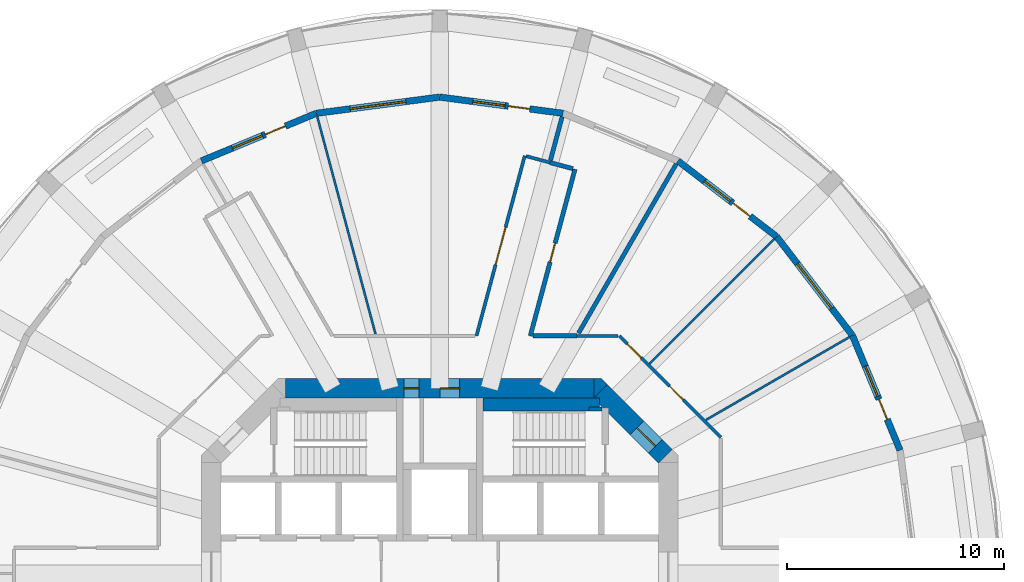
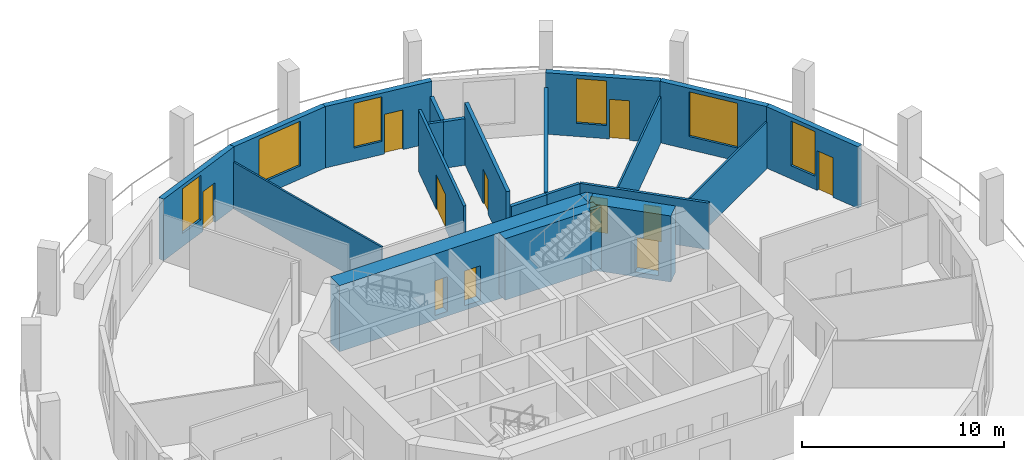
# One storey, part 6 of 9: 23 walls, 11 doors, 6 windows, 17 openings.
"""IFC4 building model written with IfcOpenShell, lengths in metres."""

from ifc_helpers import new_model, si_unit, direction, frame, frame_2d, origin, place, context, subcontext, project, spatial, polyline, rectangle, outline, extrude, material, layer, layer_set, type_object, element, fill, save


model = new_model("IFC4")

# Units and contexts
model_context = context("Model", 3, precision=1e-05, world=origin(), true_north=direction((0.0, 1.0)))
body_context = subcontext(model_context, "Body", "Model", "MODEL_VIEW")
ifc_project = project(units=[si_unit("LENGTHUNIT", "METRE"), si_unit("AREAUNIT", "SQUARE_METRE"), si_unit("VOLUMEUNIT", "CUBIC_METRE"), si_unit("PLANEANGLEUNIT", "RADIAN"), si_unit("MASSUNIT", "GRAM", prefix="KILO")], contexts=[model_context])

# Site, building, storey
site_placement = place(None, origin())
site = spatial("IfcSite", under=ifc_project, at=site_placement, CompositionType="ELEMENT")
building_placement = place(site_placement, origin())
building = spatial("IfcBuilding", under=site, at=building_placement, Name="Torre Triforio", CompositionType="ELEMENT")
storey_placement = place(building_placement, frame((0.0, 0.0, 102.60009765625)))
storey = spatial("IfcBuildingStorey", under=building, at=storey_placement, Name="L22", CompositionType="ELEMENT", Elevation=102.60009765625)

# Wall, openings, doors
ifc_material_1 = material(Name="Concrete C60", Category="concrete")
ifc_layer_1 = layer(ifc_material_1, 0.89990234375)
ifc_layer_set_1 = layer_set([ifc_layer_1], Name="Concrete C60")
wall_type_1 = type_object("IfcWallType", Name="Core wall 900 mm C60 EI 120", PredefinedType="SHEAR", material=ifc_layer_set_1)
wall_1_placement = place(storey_placement, frame((-7.1298828125, 8.550048828125, -0.280029296875), z_axis=(0.0, 0.0, 1.0), x_axis=(1.0, 0.0, 0.0)))
wall_1 = element("IfcWall", 1, at=wall_1_placement, inside=storey, type_object=wall_type_1, Name="Core wall", PredefinedType="SHEAR", context=body_context, shape_type="SweptSolid", body=[
    extrude(rectangle(XDim=14.259765625, YDim=0.89990234375, at=frame_2d((7.1298828125, 0.0))), origin(), (0.0, 0.0, 1.0), 4.0),
])
opening_1_placement = place(wall_1_placement, frame((5.47998046875, 0.0, 0.280029296875)))
opening_1 = element("IfcOpeningElement", 2, at=opening_1_placement, cuts=wall_1, Name="Opening RISER-N", PredefinedType="OPENING", context=body_context, shape_type="SweptSolid", body=[
    extrude(rectangle(XDim=0.699951171875, YDim=2.10009765625, at=frame_2d((0.35009765625, 1.050048828125))), frame((0.0, 0.4599609375, 0.0), z_axis=(0.0, -1.0, 0.0), x_axis=(1.0, 0.0, 0.0)), (0.0, 0.0, 1.0), 0.919921875),
])
opening_2_placement = place(wall_1_placement, frame((7.155029296875, 0.0, 0.280029296875)))
opening_2 = element("IfcOpeningElement", 3, at=opening_2_placement, cuts=wall_1, Name="Opening NE-01", PredefinedType="OPENING", context=body_context, shape_type="SweptSolid", body=[
    extrude(rectangle(XDim=0.89990234375, YDim=2.10009765625, at=frame_2d((0.449951171875, 1.050048828125))), frame((0.0, 0.4599609375, 0.0), z_axis=(0.0, -1.0, 0.0), x_axis=(1.0, 0.0, 0.0)), (0.0, 0.0, 1.0), 0.919921875),
])
ifc_material_2 = material(Name="Hollow metal fire door leaf")
door_type_1 = type_object("IfcDoorType", Name="Riser door 700 x 2100 EI 60", OperationType="NOTDEFINED", PredefinedType="DOOR", material=ifc_material_2)
door_1_placement = place(opening_1_placement, origin())
door_1 = element("IfcDoor", 4, at=door_1_placement, inside=storey, type_object=door_type_1, Name="Core door RISER-N", OperationType="SINGLE_SWING_LEFT", OverallHeight=2.10009765625, OverallWidth=0.699951171875, PredefinedType="DOOR", context=body_context, shape_type="SweptSolid", body=[
    extrude(rectangle(XDim=0.699951171875, YDim=2.10009765625, at=frame_2d((0.35009765625, 1.050048828125))), frame((0.0, 0.02490234375, 0.0), z_axis=(0.0, -1.0, 0.0), x_axis=(1.0, 0.0, 0.0)), (0.0, 0.0, 1.0), 0.050048828125),
])
fill(opening_1, door_1)
door_type_2 = type_object("IfcDoorType", Name="Room door 900 x 2100 EI 60", OperationType="NOTDEFINED", PredefinedType="DOOR", material=ifc_material_2)
door_2_placement = place(opening_2_placement, origin())
door_2 = element("IfcDoor", 5, at=door_2_placement, inside=storey, type_object=door_type_2, Name="Core door NE-01", OperationType="SINGLE_SWING_RIGHT", OverallHeight=2.10009765625, OverallWidth=0.89990234375, PredefinedType="DOOR", context=body_context, shape_type="SweptSolid", body=[
    extrude(rectangle(XDim=0.89990234375, YDim=2.10009765625, at=frame_2d((0.449951171875, 1.050048828125))), frame((0.0, 0.02490234375, 0.0), z_axis=(0.0, -1.0, 0.0), x_axis=(1.0, 0.0, 0.0)), (0.0, 0.0, 1.0), 0.050048828125),
])
fill(opening_2, door_2)

# Wall, opening, door
wall_2_placement = place(storey_placement, frame((7.418212890625, 8.418212890625, -0.280029296875), z_axis=(0.0, 0.0, 1.0), x_axis=(0.707106781187, -0.707106781187, 0.0)))
wall_2 = element("IfcWall", 6, at=wall_2_placement, inside=storey, type_object=wall_type_1, Name="Core wall", PredefinedType="SHEAR", context=body_context, shape_type="SweptSolid", body=[
    extrude(rectangle(XDim=4.24267578125, YDim=0.89990234375, at=frame_2d((2.121337890625, 0.0))), origin(), (0.0, 0.0, 1.0), 4.0),
])
opening_3_placement = place(wall_2_placement, frame((2.392578125, 0.0, 0.280029296875)))
opening_3 = element("IfcOpeningElement", 7, at=opening_3_placement, cuts=wall_2, Name="Opening ST2-EXIT", PredefinedType="OPENING", context=body_context, shape_type="SweptSolid", body=[
    extrude(rectangle(XDim=1.199951171875, YDim=2.10009765625, at=frame_2d((0.60009765625, 1.050048828125))), frame((0.0, 0.4599609375, 0.0), z_axis=(0.0, -1.0, 0.0), x_axis=(1.0, 0.0, 0.0)), (0.0, 0.0, 1.0), 0.919921875),
])
door_type_3 = type_object("IfcDoorType", Name="Stair lobby door 1200 x 2100 EI 60", OperationType="NOTDEFINED", PredefinedType="DOOR", material=ifc_material_2)
door_3_placement = place(opening_3_placement, origin())
door_3 = element("IfcDoor", 8, at=door_3_placement, inside=storey, type_object=door_type_3, Name="Core door ST2-EXIT", OperationType="SINGLE_SWING_RIGHT", OverallHeight=2.10009765625, OverallWidth=1.199951171875, PredefinedType="DOOR", context=body_context, shape_type="SweptSolid", body=[
    extrude(rectangle(XDim=1.199951171875, YDim=2.10009765625, at=frame_2d((0.60009765625, 1.050048828125))), frame((0.0, 0.02490234375, 0.0), z_axis=(0.0, -1.0, 0.0), x_axis=(1.0, 0.0, 0.0)), (0.0, 0.0, 1.0), 0.050048828125),
])
fill(opening_3, door_3)

# Wall
wall_3_placement = place(storey_placement, frame((0.0, 0.0, -0.280029296875)))
element("IfcWall", 9, at=wall_3_placement, inside=storey, type_object=wall_type_1, Name="Core wall", PredefinedType="SHEAR", context=body_context, shape_type="SweptSolid", body=[
    extrude(outline(polyline([(7.472900390625, 9.0), (7.736328125, 8.736328125), (7.1298828125, 8.1298828125), (7.1298828125, 9.0), (7.472900390625, 9.0)])), origin(), (0.0, 0.0, 1.0), 4.0),
])

# Wall, opening, door
ifc_material_3 = material(Name="Plasterboard on metal studs")
ifc_layer_2 = layer(ifc_material_3, 0.14990234375)
ifc_layer_set_2 = layer_set([ifc_layer_2], Name="Plasterboard on metal studs")
wall_type_2 = type_object("IfcWallType", Name="Corridor and tenancy wall 150 mm EI 60", PredefinedType="PARTITIONING", material=ifc_layer_set_2)
wall_4_placement = place(storey_placement, frame((1.698486328125, 10.97509765625, 0.0), z_axis=(0.0, 0.0, 1.0), x_axis=(0.258804606039, 0.965929695109, 0.0)))
wall_4 = element("IfcWall", 10, at=wall_4_placement, inside=storey, type_object=wall_type_2, Name="Partition 13", PredefinedType="PARTITIONING", context=body_context, shape_type="SweptSolid", body=[
    extrude(rectangle(XDim=8.60791015625, YDim=0.14990234375, at=frame_2d((4.303955078125, 0.0))), origin(), (0.0, 0.0, 1.0), 3.719970703125),
])
opening_4_placement = place(wall_4_placement, frame((3.404052734375, 0.0, 0.0)))
opening_4 = element("IfcOpeningElement", 11, at=opening_4_placement, cuts=wall_4, Name="Opening N7-13", PredefinedType="OPENING", context=body_context, shape_type="SweptSolid", body=[
    extrude(rectangle(XDim=1.800048828125, YDim=2.10009765625, at=frame_2d((0.89990234375, 1.050048828125))), frame((0.0, 0.0849609375, 0.0), z_axis=(0.0, -1.0, 0.0), x_axis=(1.0, 0.0, 0.0)), (0.0, 0.0, 1.0), 0.169921875),
])
ifc_material_4 = material(Name="Timber", Category="wood")
door_type_4 = type_object("IfcDoorType", Name="Door 1800 x 2100 double leaf EI 30", OperationType="DOUBLE_DOOR_SINGLE_SWING", PredefinedType="DOOR", material=ifc_material_4)
door_4_placement = place(opening_4_placement, origin())
door_4 = element("IfcDoor", 12, at=door_4_placement, inside=storey, type_object=door_type_4, Name="Door N7-13", OperationType="DOUBLE_DOOR_SINGLE_SWING", OverallHeight=2.10009765625, OverallWidth=1.800048828125, PredefinedType="DOOR", context=body_context, shape_type="SweptSolid", body=[
    extrude(rectangle(XDim=1.800048828125, YDim=2.10009765625, at=frame_2d((0.89990234375, 1.050048828125))), frame((0.0, 0.02490234375, 0.0), z_axis=(0.0, -1.0, 0.0), x_axis=(1.0, 0.0, 0.0)), (0.0, 0.0, 1.0), 0.050048828125),
])
fill(opening_4, door_4)

# Walls
wall_5_placement = place(storey_placement, frame((3.998779296875, 19.2705078125, 0.0), z_axis=(0.0, 0.0, 1.0), x_axis=(0.965906393436, -0.258891558609, 0.0)))
element("IfcWall", 13, at=wall_5_placement, inside=storey, type_object=wall_type_2, Name="Partition 14", PredefinedType="PARTITIONING", context=body_context, shape_type="SweptSolid", body=[
    extrude(rectangle(XDim=1.125, YDim=0.14990234375, at=frame_2d((0.5625, 0.0))), origin(), (0.0, 0.0, 1.0), 2.81982421875),
])
wall_6_placement = place(storey_placement, frame((6.33642578125, 10.97509765625, 0.0), z_axis=(0.0, 0.0, 1.0), x_axis=(1.0, 0.0, 0.0)))
element("IfcWall", 14, at=wall_6_placement, inside=storey, type_object=wall_type_2, Name="Partition 18", PredefinedType="PARTITIONING", context=body_context, shape_type="SweptSolid", body=[
    extrude(rectangle(XDim=1.90185546875, YDim=0.14990234375, at=frame_2d((0.950927734375, 0.0))), origin(), (0.0, 0.0, 1.0), 2.81982421875),
])

# Wall, openings, doors
wall_7_placement = place(storey_placement, frame((8.291015625, 10.97509765625, 0.0), z_axis=(0.0, 0.0, 1.0), x_axis=(0.707106781187, -0.707106781187, 0.0)))
wall_7 = element("IfcWall", 15, at=wall_7_placement, inside=storey, type_object=wall_type_2, Name="Partition 19", PredefinedType="PARTITIONING", context=body_context, shape_type="SweptSolid", body=[
    extrude(rectangle(XDim=6.624267578125, YDim=0.14990234375, at=frame_2d((3.31201171875, 0.0))), origin(), (0.0, 0.0, 1.0), 2.81982421875),
])
opening_5_placement = place(wall_7_placement, frame((3.27392578125, 0.0, 0.0)))
opening_5 = element("IfcOpeningElement", 16, at=opening_5_placement, cuts=wall_7, Name="Opening N7-10", PredefinedType="OPENING", context=body_context, shape_type="SweptSolid", body=[
    extrude(rectangle(XDim=0.89990234375, YDim=2.10009765625, at=frame_2d((0.449951171875, 1.050048828125))), frame((0.0, 0.0849609375, 0.0), z_axis=(0.0, -1.0, 0.0), x_axis=(1.0, 0.0, 0.0)), (0.0, 0.0, 1.0), 0.169921875),
])
opening_6_placement = place(wall_7_placement, frame((0.52392578125, 0.0, 0.0)))
opening_6 = element("IfcOpeningElement", 17, at=opening_6_placement, cuts=wall_7, Name="Opening N7-11", PredefinedType="OPENING", context=body_context, shape_type="SweptSolid", body=[
    extrude(rectangle(XDim=0.89990234375, YDim=2.10009765625, at=frame_2d((0.449951171875, 1.050048828125))), frame((0.0, 0.0849609375, 0.0), z_axis=(0.0, -1.0, 0.0), x_axis=(1.0, 0.0, 0.0)), (0.0, 0.0, 1.0), 0.169921875),
])
door_type_5 = type_object("IfcDoorType", Name="Door 900 x 2100 single leaf EI 30", OperationType="NOTDEFINED", PredefinedType="DOOR", material=ifc_material_4)
door_5_placement = place(opening_5_placement, origin())
door_5 = element("IfcDoor", 18, at=door_5_placement, inside=storey, type_object=door_type_5, Name="Door N7-10", OperationType="SINGLE_SWING_RIGHT", OverallHeight=2.10009765625, OverallWidth=0.89990234375, PredefinedType="DOOR", context=body_context, shape_type="SweptSolid", body=[
    extrude(rectangle(XDim=0.89990234375, YDim=2.10009765625, at=frame_2d((0.449951171875, 1.050048828125))), frame((0.0, 0.02490234375, 0.0), z_axis=(0.0, -1.0, 0.0), x_axis=(1.0, 0.0, 0.0)), (0.0, 0.0, 1.0), 0.050048828125),
])
fill(opening_5, door_5)
door_6_placement = place(opening_6_placement, origin())
door_6 = element("IfcDoor", 19, at=door_6_placement, inside=storey, type_object=door_type_5, Name="Door N7-11", OperationType="SINGLE_SWING_LEFT", OverallHeight=2.10009765625, OverallWidth=0.89990234375, PredefinedType="DOOR", context=body_context, shape_type="SweptSolid", body=[
    extrude(rectangle(XDim=0.89990234375, YDim=2.10009765625, at=frame_2d((0.449951171875, 1.050048828125))), frame((0.0, 0.02490234375, 0.0), z_axis=(0.0, -1.0, 0.0), x_axis=(1.0, 0.0, 0.0)), (0.0, 0.0, 1.0), 0.050048828125),
])
fill(opening_6, door_6)

# Walls
ifc_layer_3 = layer(ifc_material_3, 0.10009765625)
ifc_layer_set_3 = layer_set([ifc_layer_3], Name="Plasterboard on metal studs")
wall_type_3 = type_object("IfcWallType", Name="Partition 100 mm board on metal studs", PredefinedType="PARTITIONING", material=ifc_layer_set_3)
wall_8_placement = place(storey_placement, frame((12.294189453125, 7.097900390625, 0.0), z_axis=(0.0, 0.0, 1.0), x_axis=(0.866010520791, 0.500025777215, 0.0)))
element("IfcWall", 20, at=wall_8_placement, inside=storey, type_object=wall_type_3, Name="Partition 32", PredefinedType="PARTITIONING", context=body_context, shape_type="SweptSolid", body=[
    extrude(rectangle(XDim=7.640625, YDim=0.10009765625, at=frame_2d((3.8203125, 0.0))), origin(), (0.0, 0.0, 1.0), 2.81982421875),
])
wall_9_placement = place(storey_placement, frame((9.68603515625, 9.68603515625, 0.0), z_axis=(0.0, 0.0, 1.0), x_axis=(0.707106781187, 0.707106781187, 0.0)))
element("IfcWall", 21, at=wall_9_placement, inside=storey, type_object=wall_type_3, Name="Partition 33", PredefinedType="PARTITIONING", context=body_context, shape_type="SweptSolid", body=[
    extrude(rectangle(XDim=8.138671875, YDim=0.10009765625, at=frame_2d((4.0693359375, 0.0))), origin(), (0.0, 0.0, 1.0), 2.81982421875),
])
wall_10_placement = place(storey_placement, frame((-2.964599609375, 11.064208984375, 0.0), z_axis=(0.0, 0.0, 1.0), x_axis=(-0.258834819477, 0.96592159942, 0.0)))
element("IfcWall", 22, at=wall_10_placement, inside=storey, type_object=wall_type_3, Name="Partition 36", PredefinedType="PARTITIONING", context=body_context, shape_type="SweptSolid", body=[
    extrude(rectangle(XDim=10.382080078125, YDim=0.10009765625, at=frame_2d((5.19091796875, 0.0))), origin(), (0.0, 0.0, 1.0), 2.81982421875),
])
ifc_material_5 = material(Name="Masonry block", Category="masonry")
ifc_layer_4 = layer(ifc_material_5, 0.199951171875)
ifc_layer_set_4 = layer_set([ifc_layer_4], Name="Masonry block")
wall_type_4 = type_object("IfcWallType", Name="Plant room wall 200 mm block EI 120", PredefinedType="PARTITIONING", material=ifc_layer_set_4)
wall_11_placement = place(storey_placement, frame((5.08544921875, 18.979248046875, 0.0), z_axis=(0.0, 0.0, 1.0), x_axis=(0.965932200741, -0.258795254151, 0.0)))
element("IfcWall", 23, at=wall_11_placement, inside=storey, type_object=wall_type_4, Name="Partition 15", PredefinedType="PARTITIONING", context=body_context, shape_type="SweptSolid", body=[
    extrude(rectangle(XDim=1.099853515625, YDim=0.199951171875, at=frame_2d((0.5498046875, 0.0))), origin(), (0.0, 0.0, 1.0), 2.81982421875),
])

# Wall, opening, door
wall_12_placement = place(storey_placement, frame((6.24462890625, 18.668701171875, 0.0), z_axis=(0.0, 0.0, 1.0), x_axis=(-0.258822393938, -0.965924928965, 0.0)))
wall_12 = element("IfcWall", 24, at=wall_12_placement, inside=storey, type_object=wall_type_4, Name="Partition 16", PredefinedType="PARTITIONING", context=body_context, shape_type="SweptSolid", body=[
    extrude(rectangle(XDim=7.965087890625, YDim=0.199951171875, at=frame_2d((3.982421875, 0.0))), origin(), (0.0, 0.0, 1.0), 3.719970703125),
])
opening_7_placement = place(wall_12_placement, frame((3.532470703125, 0.0, 0.0)))
opening_7 = element("IfcOpeningElement", 25, at=opening_7_placement, cuts=wall_12, Name="Opening N7-12", PredefinedType="OPENING", context=body_context, shape_type="SweptSolid", body=[
    extrude(rectangle(XDim=0.89990234375, YDim=2.10009765625, at=frame_2d((0.449951171875, 1.050048828125))), frame((0.0, 0.10986328125, 0.0), z_axis=(0.0, -1.0, 0.0), x_axis=(1.0, 0.0, 0.0)), (0.0, 0.0, 1.0), 0.219970703125),
])
door_type_6 = type_object("IfcDoorType", Name="Door 900 x 2100 single leaf EI 60", OperationType="NOTDEFINED", PredefinedType="DOOR", material=ifc_material_2)
door_7_placement = place(opening_7_placement, origin())
door_7 = element("IfcDoor", 26, at=door_7_placement, inside=storey, type_object=door_type_6, Name="Door N7-12", OperationType="SINGLE_SWING_LEFT", OverallHeight=2.10009765625, OverallWidth=0.89990234375, PredefinedType="DOOR", context=body_context, shape_type="SweptSolid", body=[
    extrude(rectangle(XDim=0.89990234375, YDim=2.10009765625, at=frame_2d((0.449951171875, 1.050048828125))), frame((0.0, 0.02490234375, 0.0), z_axis=(0.0, -1.0, 0.0), x_axis=(1.0, 0.0, 0.0)), (0.0, 0.0, 1.0), 0.050048828125),
])
fill(opening_7, door_7)

# Walls
wall_13_placement = place(storey_placement, frame((4.31298828125, 10.97509765625, 0.0), z_axis=(0.0, 0.0, 1.0), x_axis=(1.0, 0.0, 0.0)))
element("IfcWall", 27, at=wall_13_placement, inside=storey, type_object=wall_type_4, Name="Partition 17", PredefinedType="PARTITIONING", context=body_context, shape_type="SweptSolid", body=[
    extrude(rectangle(XDim=2.0234375, YDim=0.199951171875, at=frame_2d((1.01171875, 0.0))), origin(), (0.0, 0.0, 1.0), 2.81982421875),
])
wall_14_placement = place(storey_placement, frame((6.408935546875, 11.1005859375, 0.0), z_axis=(0.0, 0.0, 1.0), x_axis=(0.500008327793, 0.866020595677, 0.0)))
element("IfcWall", 28, at=wall_14_placement, inside=storey, type_object=wall_type_4, Name="Partition 34", PredefinedType="PARTITIONING", context=body_context, shape_type="SweptSolid", body=[
    extrude(rectangle(XDim=9.018798828125, YDim=0.199951171875, at=frame_2d((4.50927734375, 0.0))), origin(), (0.0, 0.0, 1.0), 2.81982421875),
])
wall_15_placement = place(storey_placement, frame((5.111328125, 19.07568359375, 0.0), z_axis=(0.0, 0.0, 1.0), x_axis=(0.258870505712, 0.965912035991, 0.0)))
element("IfcWall", 29, at=wall_15_placement, inside=storey, type_object=wall_type_4, Name="Partition 35", PredefinedType="PARTITIONING", context=body_context, shape_type="SweptSolid", body=[
    extrude(rectangle(XDim=2.088134765625, YDim=0.199951171875, at=frame_2d((1.0439453125, 0.0))), origin(), (0.0, 0.0, 1.0), 2.81982421875),
])
ifc_layer_5 = layer(ifc_material_1, 0.199951171875)
ifc_layer_set_5 = layer_set([ifc_layer_5], Name="Concrete C60")
wall_type_5 = type_object("IfcWallType", Name="Stair wall 200 mm C60 EI 120", PredefinedType="SHEAR", material=ifc_layer_set_5)
wall_16_placement = place(storey_placement, frame((6.89990234375, 7.60009765625, 0.0), z_axis=(0.0, 0.0, 1.0), x_axis=(1.0, 0.0, 0.0)))
element("IfcWall", 30, at=wall_16_placement, inside=storey, type_object=wall_type_5, Name="Stair wall", PredefinedType="SHEAR", context=body_context, shape_type="SweptSolid", body=[
    extrude(rectangle(XDim=0.60009765625, YDim=0.199951171875, at=frame_2d((0.300048828125, 0.0))), origin(), (0.0, 0.0, 1.0), 3.719970703125),
])
ifc_layer_6 = layer(ifc_material_1, 0.60009765625)
ifc_layer_set_6 = layer_set([ifc_layer_6], Name="Concrete C60")
wall_type_6 = type_object("IfcWallType", Name="Stair wall 600 mm C60 EI 120", PredefinedType="SHEAR", material=ifc_layer_set_6)
wall_17_placement = place(storey_placement, frame((2.0, 7.800048828125, 0.0), z_axis=(0.0, 0.0, 1.0), x_axis=(1.0, 0.0, 0.0)))
element("IfcWall", 31, at=wall_17_placement, inside=storey, type_object=wall_type_6, Name="Stair wall", PredefinedType="SHEAR", context=body_context, shape_type="SweptSolid", body=[
    extrude(rectangle(XDim=5.3701171875, YDim=0.60009765625, at=frame_2d((2.68505859375, 0.0))), origin(), (0.0, 0.0, 1.0), 3.719970703125),
])

# Wall, openings, door, window
ifc_material_6 = material(Name="Limestone cladding", Category="masonry")
ifc_layer_7 = layer(ifc_material_6, 0.10009765625)
ifc_material_7 = material(Name="Concrete C40", Category="concrete")
ifc_layer_8 = layer(ifc_material_7, 0.199951171875)
ifc_layer_set_7 = layer_set([ifc_layer_7, ifc_layer_8], Name="Limestone cladding / Concrete C40")
wall_type_7 = type_object("IfcWallType", Name="Stone-faced composite wall 300", PredefinedType="STANDARD", material=ifc_layer_set_7)
wall_18_placement = place(storey_placement, frame((21.25048828125, 5.694091796875, 0.0), z_axis=(0.0, 0.0, 1.0), x_axis=(-0.382715966503, 0.923866055759, 0.0)))
wall_18 = element("IfcWall", 32, at=wall_18_placement, inside=storey, type_object=wall_type_7, Name="External wall L22 bay 02", PredefinedType="STANDARD", context=body_context, shape_type="SweptSolid", body=[
    extrude(rectangle(XDim=5.7431640625, YDim=0.300048828125, at=frame_2d((2.87158203125, 0.0))), origin(), (0.0, 0.0, 1.0), 3.719970703125),
])
opening_8_placement = place(wall_18_placement, frame((1.546630859375, 0.0, 0.0)))
opening_8 = element("IfcOpeningElement", 33, at=opening_8_placement, cuts=wall_18, Name="Opening N7-D02", PredefinedType="OPENING", context=body_context, shape_type="SweptSolid", body=[
    extrude(rectangle(XDim=1.0, YDim=2.39990234375, at=frame_2d((0.5, 1.199951171875))), frame((0.0, 0.159912109375, 0.0), z_axis=(0.0, -1.0, 0.0), x_axis=(1.0, 0.0, 0.0)), (0.0, 0.0, 1.0), 0.320068359375),
])
opening_9_placement = place(wall_18_placement, frame((2.696533203125, 0.0, 0.800048828125)))
opening_9 = element("IfcOpeningElement", 34, at=opening_9_placement, cuts=wall_18, Name="Opening N7-W02A", PredefinedType="OPENING", context=body_context, shape_type="SweptSolid", body=[
    extrude(rectangle(XDim=1.5, YDim=2.699951171875, at=frame_2d((0.75, 1.35009765625))), frame((0.0, 0.159912109375, 0.0), z_axis=(0.0, -1.0, 0.0), x_axis=(1.0, 0.0, 0.0)), (0.0, 0.0, 1.0), 0.320068359375),
])
ifc_material_8 = material(Name="Aluminium frame with clear double glazing", Category="aluminium")
door_type_7 = type_object("IfcDoorType", Name="Loggia door 1000 x 2400", OperationType="NOTDEFINED", PredefinedType="DOOR", material=ifc_material_8)
door_8_placement = place(opening_8_placement, origin())
door_8 = element("IfcDoor", 35, at=door_8_placement, inside=storey, type_object=door_type_7, Name="Loggia door L22 bay 02", OperationType="SINGLE_SWING_LEFT", OverallHeight=2.39990234375, OverallWidth=1.0, PredefinedType="DOOR", context=body_context, shape_type="SweptSolid", body=[
    extrude(rectangle(XDim=1.0, YDim=2.39990234375, at=frame_2d((0.5, 1.199951171875))), frame((0.0, 0.02490234375, 0.0), z_axis=(0.0, -1.0, 0.0), x_axis=(1.0, 0.0, 0.0)), (0.0, 0.0, 1.0), 0.050048828125),
])
fill(opening_8, door_8)
window_type_1 = type_object("IfcWindowType", Name="Side window 1500 x 2700", PartitioningType="SINGLE_PANEL", PredefinedType="WINDOW", material=ifc_material_8)
window_1_placement = place(opening_9_placement, origin())
window_1 = element("IfcWindow", 36, at=window_1_placement, inside=storey, type_object=window_type_1, Name="Side window EWN12 L22 bay 02", OverallHeight=2.699951171875, OverallWidth=1.5, PartitioningType="SINGLE_PANEL", PredefinedType="WINDOW", context=body_context, shape_type="SweptSolid", body=[
    extrude(rectangle(XDim=1.5, YDim=2.699951171875, at=frame_2d((0.75, 1.35009765625))), frame((0.0, 0.030029296875, 0.0), z_axis=(0.0, -1.0, 0.0), x_axis=(1.0, 0.0, 0.0)), (0.0, 0.0, 1.0), 0.06005859375),
])
fill(opening_9, window_1)

# Wall, opening, window
wall_19_placement = place(storey_placement, frame((19.052490234375, 11.0, 0.0), z_axis=(0.0, 0.0, 1.0), x_axis=(-0.608744744291, 0.793366142647, 0.0)))
wall_19 = element("IfcWall", 37, at=wall_19_placement, inside=storey, type_object=wall_type_7, Name="External wall L22 bay 03", PredefinedType="STANDARD", context=body_context, shape_type="SweptSolid", body=[
    extrude(rectangle(XDim=5.7431640625, YDim=0.300048828125, at=frame_2d((2.87158203125, 0.0))), origin(), (0.0, 0.0, 1.0), 3.719970703125),
])
opening_10_placement = place(wall_19_placement, frame((1.571533203125, 0.0, 0.800048828125)))
opening_10 = element("IfcOpeningElement", 38, at=opening_10_placement, cuts=wall_19, Name="Opening N7-W03", PredefinedType="OPENING", context=body_context, shape_type="SweptSolid", body=[
    extrude(rectangle(XDim=2.60009765625, YDim=2.699951171875, at=frame_2d((1.300048828125, 1.35009765625))), frame((0.0, 0.159912109375, 0.0), z_axis=(0.0, -1.0, 0.0), x_axis=(1.0, 0.0, 0.0)), (0.0, 0.0, 1.0), 0.320068359375),
])
window_type_2 = type_object("IfcWindowType", Name="Punched window 2600 x 2700", PartitioningType="DOUBLE_PANEL_VERTICAL", PredefinedType="WINDOW", material=ifc_material_8)
window_2_placement = place(opening_10_placement, origin())
window_2 = element("IfcWindow", 39, at=window_2_placement, inside=storey, type_object=window_type_2, Name="Window EWN2 L22 bay 03", OverallHeight=2.699951171875, OverallWidth=2.60009765625, PartitioningType="SINGLE_PANEL", PredefinedType="WINDOW", context=body_context, shape_type="SweptSolid", body=[
    extrude(rectangle(XDim=2.60009765625, YDim=2.699951171875, at=frame_2d((1.300048828125, 1.35009765625))), frame((0.0, 0.030029296875, 0.0), z_axis=(0.0, -1.0, 0.0), x_axis=(1.0, 0.0, 0.0)), (0.0, 0.0, 1.0), 0.06005859375),
])
fill(opening_10, window_2)

# Wall, openings, door, window
wall_20_placement = place(storey_placement, frame((15.556396484375, 15.556396484375, 0.0), z_axis=(0.0, 0.0, 1.0), x_axis=(-0.793366142647, 0.608744744291, 0.0)))
wall_20 = element("IfcWall", 40, at=wall_20_placement, inside=storey, type_object=wall_type_7, Name="External wall L22 bay 04", PredefinedType="STANDARD", context=body_context, shape_type="SweptSolid", body=[
    extrude(rectangle(XDim=5.7431640625, YDim=0.300048828125, at=frame_2d((2.87158203125, 0.0))), origin(), (0.0, 0.0, 1.0), 3.719970703125),
])
opening_11_placement = place(wall_20_placement, frame((1.546630859375, 0.0, 0.0)))
opening_11 = element("IfcOpeningElement", 41, at=opening_11_placement, cuts=wall_20, Name="Opening N7-D04", PredefinedType="OPENING", context=body_context, shape_type="SweptSolid", body=[
    extrude(rectangle(XDim=1.0, YDim=2.39990234375, at=frame_2d((0.5, 1.199951171875))), frame((0.0, 0.159912109375, 0.0), z_axis=(0.0, -1.0, 0.0), x_axis=(1.0, 0.0, 0.0)), (0.0, 0.0, 1.0), 0.320068359375),
])
opening_12_placement = place(wall_20_placement, frame((2.696533203125, 0.0, 0.800048828125)))
opening_12 = element("IfcOpeningElement", 42, at=opening_12_placement, cuts=wall_20, Name="Opening N7-W04A", PredefinedType="OPENING", context=body_context, shape_type="SweptSolid", body=[
    extrude(rectangle(XDim=1.5, YDim=2.699951171875, at=frame_2d((0.75, 1.35009765625))), frame((0.0, 0.159912109375, 0.0), z_axis=(0.0, -1.0, 0.0), x_axis=(1.0, 0.0, 0.0)), (0.0, 0.0, 1.0), 0.320068359375),
])
door_9_placement = place(opening_11_placement, origin())
door_9 = element("IfcDoor", 43, at=door_9_placement, inside=storey, type_object=door_type_7, Name="Loggia door L22 bay 04", OperationType="SINGLE_SWING_LEFT", OverallHeight=2.39990234375, OverallWidth=1.0, PredefinedType="DOOR", context=body_context, shape_type="SweptSolid", body=[
    extrude(rectangle(XDim=1.0, YDim=2.39990234375, at=frame_2d((0.5, 1.199951171875))), frame((0.0, 0.02490234375, 0.0), z_axis=(0.0, -1.0, 0.0), x_axis=(1.0, 0.0, 0.0)), (0.0, 0.0, 1.0), 0.050048828125),
])
fill(opening_11, door_9)
window_3_placement = place(opening_12_placement, origin())
window_3 = element("IfcWindow", 44, at=window_3_placement, inside=storey, type_object=window_type_1, Name="Side window EWN12 L22 bay 04", OverallHeight=2.699951171875, OverallWidth=1.5, PartitioningType="SINGLE_PANEL", PredefinedType="WINDOW", context=body_context, shape_type="SweptSolid", body=[
    extrude(rectangle(XDim=1.5, YDim=2.699951171875, at=frame_2d((0.75, 1.35009765625))), frame((0.0, 0.030029296875, 0.0), z_axis=(0.0, -1.0, 0.0), x_axis=(1.0, 0.0, 0.0)), (0.0, 0.0, 1.0), 0.06005859375),
])
fill(opening_12, window_3)

wall_21_placement = place(storey_placement, frame((5.694091796875, 21.25048828125, 0.0), z_axis=(0.0, 0.0, 1.0), x_axis=(-0.991447783331, 0.130503995834, 0.0)))
wall_21 = element("IfcWall", 45, at=wall_21_placement, inside=storey, type_object=wall_type_7, Name="External wall L22 bay 06", PredefinedType="STANDARD", context=body_context, shape_type="SweptSolid", body=[
    extrude(rectangle(XDim=5.7431640625, YDim=0.300048828125, at=frame_2d((2.87158203125, 0.0))), origin(), (0.0, 0.0, 1.0), 3.719970703125),
])
opening_13_placement = place(wall_21_placement, frame((1.546630859375, 0.0, 0.0)))
opening_13 = element("IfcOpeningElement", 46, at=opening_13_placement, cuts=wall_21, Name="Opening N7-D06", PredefinedType="OPENING", context=body_context, shape_type="SweptSolid", body=[
    extrude(rectangle(XDim=1.0, YDim=2.39990234375, at=frame_2d((0.5, 1.199951171875))), frame((0.0, 0.159912109375, 0.0), z_axis=(0.0, -1.0, 0.0), x_axis=(1.0, 0.0, 0.0)), (0.0, 0.0, 1.0), 0.320068359375),
])
opening_14_placement = place(wall_21_placement, frame((2.696533203125, 0.0, 0.800048828125)))
opening_14 = element("IfcOpeningElement", 47, at=opening_14_placement, cuts=wall_21, Name="Opening N7-W06A", PredefinedType="OPENING", context=body_context, shape_type="SweptSolid", body=[
    extrude(rectangle(XDim=1.5, YDim=2.699951171875, at=frame_2d((0.75, 1.35009765625))), frame((0.0, 0.159912109375, 0.0), z_axis=(0.0, -1.0, 0.0), x_axis=(1.0, 0.0, 0.0)), (0.0, 0.0, 1.0), 0.320068359375),
])
door_10_placement = place(opening_13_placement, origin())
door_10 = element("IfcDoor", 48, at=door_10_placement, inside=storey, type_object=door_type_7, Name="Loggia door L22 bay 06", OperationType="SINGLE_SWING_LEFT", OverallHeight=2.39990234375, OverallWidth=1.0, PredefinedType="DOOR", context=body_context, shape_type="SweptSolid", body=[
    extrude(rectangle(XDim=1.0, YDim=2.39990234375, at=frame_2d((0.5, 1.199951171875))), frame((0.0, 0.02490234375, 0.0), z_axis=(0.0, -1.0, 0.0), x_axis=(1.0, 0.0, 0.0)), (0.0, 0.0, 1.0), 0.050048828125),
])
fill(opening_13, door_10)
window_4_placement = place(opening_14_placement, origin())
window_4 = element("IfcWindow", 49, at=window_4_placement, inside=storey, type_object=window_type_1, Name="Side window EWN12 L22 bay 06", OverallHeight=2.699951171875, OverallWidth=1.5, PartitioningType="SINGLE_PANEL", PredefinedType="WINDOW", context=body_context, shape_type="SweptSolid", body=[
    extrude(rectangle(XDim=1.5, YDim=2.699951171875, at=frame_2d((0.75, 1.35009765625))), frame((0.0, 0.030029296875, 0.0), z_axis=(0.0, -1.0, 0.0), x_axis=(1.0, 0.0, 0.0)), (0.0, 0.0, 1.0), 0.06005859375),
])
fill(opening_14, window_4)

# Wall, opening, window
wall_22_placement = place(storey_placement, frame((0.0, 22.0, 0.0), z_axis=(0.0, 0.0, 1.0), x_axis=(-0.991447783331, -0.130503995834, 0.0)))
wall_22 = element("IfcWall", 50, at=wall_22_placement, inside=storey, type_object=wall_type_7, Name="External wall L22 bay 07", PredefinedType="STANDARD", context=body_context, shape_type="SweptSolid", body=[
    extrude(rectangle(XDim=5.7431640625, YDim=0.300048828125, at=frame_2d((2.87158203125, 0.0))), origin(), (0.0, 0.0, 1.0), 3.719970703125),
])
opening_15_placement = place(wall_22_placement, frame((1.571533203125, 0.0, 0.800048828125)))
opening_15 = element("IfcOpeningElement", 51, at=opening_15_placement, cuts=wall_22, Name="Opening N7-W07", PredefinedType="OPENING", context=body_context, shape_type="SweptSolid", body=[
    extrude(rectangle(XDim=2.60009765625, YDim=2.699951171875, at=frame_2d((1.300048828125, 1.35009765625))), frame((0.0, 0.159912109375, 0.0), z_axis=(0.0, -1.0, 0.0), x_axis=(1.0, 0.0, 0.0)), (0.0, 0.0, 1.0), 0.320068359375),
])
window_5_placement = place(opening_15_placement, origin())
window_5 = element("IfcWindow", 52, at=window_5_placement, inside=storey, type_object=window_type_2, Name="Window EWN2 L22 bay 07", OverallHeight=2.699951171875, OverallWidth=2.60009765625, PartitioningType="SINGLE_PANEL", PredefinedType="WINDOW", context=body_context, shape_type="SweptSolid", body=[
    extrude(rectangle(XDim=2.60009765625, YDim=2.699951171875, at=frame_2d((1.300048828125, 1.35009765625))), frame((0.0, 0.030029296875, 0.0), z_axis=(0.0, -1.0, 0.0), x_axis=(1.0, 0.0, 0.0)), (0.0, 0.0, 1.0), 0.06005859375),
])
fill(opening_15, window_5)

# Wall, openings, door, window
wall_23_placement = place(storey_placement, frame((-5.694091796875, 21.25048828125, 0.0), z_axis=(0.0, 0.0, 1.0), x_axis=(-0.923866055759, -0.382715966503, 0.0)))
wall_23 = element("IfcWall", 53, at=wall_23_placement, inside=storey, type_object=wall_type_7, Name="External wall L22 bay 08", PredefinedType="STANDARD", context=body_context, shape_type="SweptSolid", body=[
    extrude(rectangle(XDim=5.7431640625, YDim=0.300048828125, at=frame_2d((2.87158203125, 0.0))), origin(), (0.0, 0.0, 1.0), 3.719970703125),
])
opening_16_placement = place(wall_23_placement, frame((1.546630859375, 0.0, 0.0)))
opening_16 = element("IfcOpeningElement", 54, at=opening_16_placement, cuts=wall_23, Name="Opening N7-D08", PredefinedType="OPENING", context=body_context, shape_type="SweptSolid", body=[
    extrude(rectangle(XDim=1.0, YDim=2.39990234375, at=frame_2d((0.5, 1.199951171875))), frame((0.0, 0.159912109375, 0.0), z_axis=(0.0, -1.0, 0.0), x_axis=(1.0, 0.0, 0.0)), (0.0, 0.0, 1.0), 0.320068359375),
])
opening_17_placement = place(wall_23_placement, frame((2.696533203125, 0.0, 0.800048828125)))
opening_17 = element("IfcOpeningElement", 55, at=opening_17_placement, cuts=wall_23, Name="Opening N7-W08A", PredefinedType="OPENING", context=body_context, shape_type="SweptSolid", body=[
    extrude(rectangle(XDim=1.5, YDim=2.699951171875, at=frame_2d((0.75, 1.35009765625))), frame((0.0, 0.159912109375, 0.0), z_axis=(0.0, -1.0, 0.0), x_axis=(1.0, 0.0, 0.0)), (0.0, 0.0, 1.0), 0.320068359375),
])
door_11_placement = place(opening_16_placement, origin())
door_11 = element("IfcDoor", 56, at=door_11_placement, inside=storey, type_object=door_type_7, Name="Loggia door L22 bay 08", OperationType="SINGLE_SWING_RIGHT", OverallHeight=2.39990234375, OverallWidth=1.0, PredefinedType="DOOR", context=body_context, shape_type="SweptSolid", body=[
    extrude(rectangle(XDim=1.0, YDim=2.39990234375, at=frame_2d((0.5, 1.199951171875))), frame((0.0, 0.02490234375, 0.0), z_axis=(0.0, -1.0, 0.0), x_axis=(1.0, 0.0, 0.0)), (0.0, 0.0, 1.0), 0.050048828125),
])
fill(opening_16, door_11)
window_6_placement = place(opening_17_placement, origin())
window_6 = element("IfcWindow", 57, at=window_6_placement, inside=storey, type_object=window_type_1, Name="Side window EWN12 L22 bay 08", OverallHeight=2.699951171875, OverallWidth=1.5, PartitioningType="SINGLE_PANEL", PredefinedType="WINDOW", context=body_context, shape_type="SweptSolid", body=[
    extrude(rectangle(XDim=1.5, YDim=2.699951171875, at=frame_2d((0.75, 1.35009765625))), frame((0.0, 0.030029296875, 0.0), z_axis=(0.0, -1.0, 0.0), x_axis=(1.0, 0.0, 0.0)), (0.0, 0.0, 1.0), 0.06005859375),
])
fill(opening_17, window_6)

save(model, "model.ifc")
